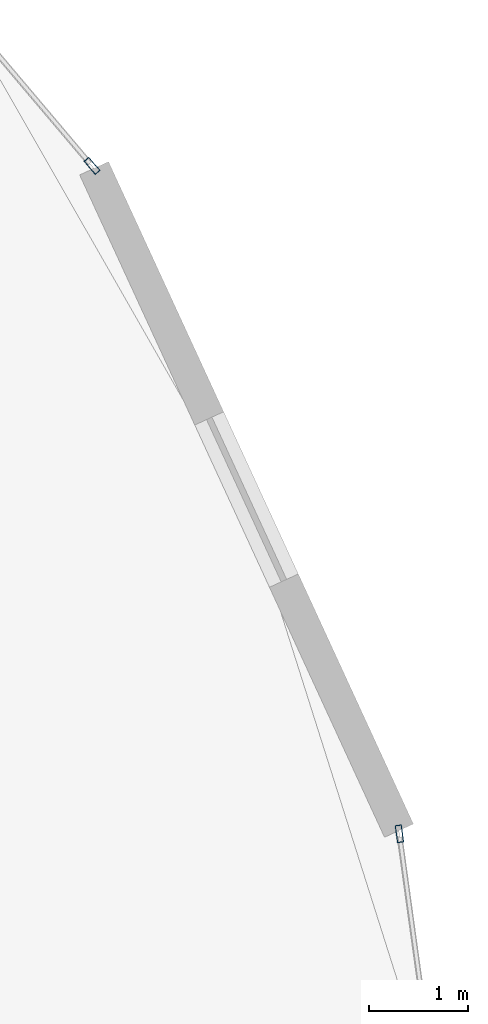
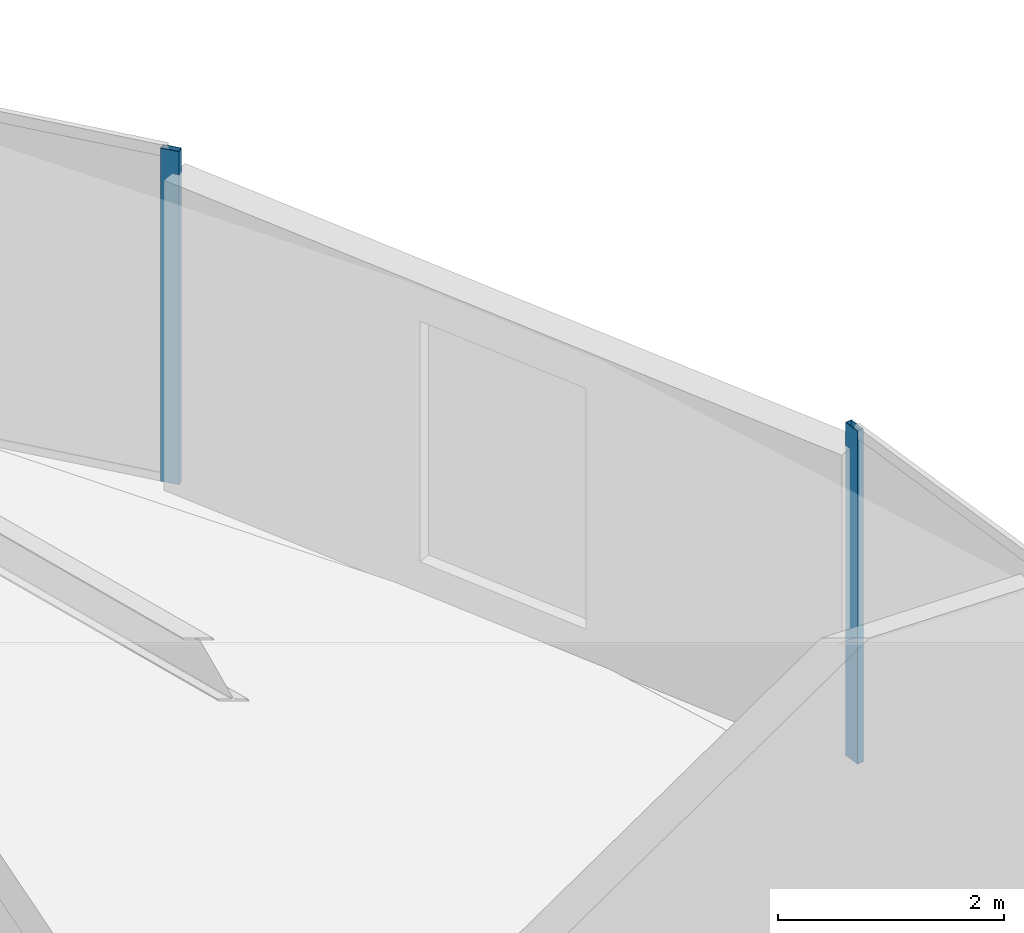
# One storey, part 12 of 23: 2 members, 2 elements without a shape of their own.
"""IFC4 building model written with IfcOpenShell, lengths in metres."""

import ifcopenshell
import ifcopenshell.guid

model = None  # the IFC model being written
_history = None  # IfcOwnerHistory: only IFC2X3 demands one
_inside = {}  # id of a spatial element -> (the spatial element, [elements in it])
_under = {}  # id of a project, library or spatial element -> (it, [spatial elements below it])
_declared = {}  # id of a project -> (the project, [libraries it declares])
_typed = {}  # id of a type object -> (the type object, [elements of that type])
_made_of = {}  # id of a material, layer set ... -> (it, [elements and type objects made of it])


def new_model(schema):
    """Start an empty IFC model of exactly this schema.

    Asked for "IFC4X3", IfcOpenShell would pick the latest addendum, in which some entities
    have other attributes; the version numbers below select the first issue.
    IFC2X3 requires an IfcOwnerHistory on every rooted entity: one is made here for all.
    """
    global model, _history
    if schema == "IFC4X3":
        model = ifcopenshell.file(schema_version=(4, 3, 0, 0))
    else:
        model = ifcopenshell.file(schema=schema)
    _inside.clear()
    _under.clear()
    _declared.clear()
    _typed.clear()
    _made_of.clear()
    _history = None
    if model.schema == "IFC2X3":
        org = make("IfcOrganization", Name="unknown")
        user = make(
            "IfcPersonAndOrganization",
            ThePerson=make("IfcPerson", FamilyName="unknown"),
            TheOrganization=org,
        )
        app = make(
            "IfcApplication",
            ApplicationDeveloper=org,
            Version="unknown",
            ApplicationFullName="unknown",
            ApplicationIdentifier="unknown",
        )
        _history = make(
            "IfcOwnerHistory",
            OwningUser=user,
            OwningApplication=app,
            ChangeAction="ADDED",
            CreationDate=0,
        )
    return model


def make(cls, **values):
    """One entity of the class cls with the attributes given. An attribute that is None is left unset."""
    return model.create_entity(
        cls, **{name: value for name, value in values.items() if value is not None}
    )


def rooted(cls, **values):
    """An entity with a GlobalId (a new one), such as an element, a storey or a relation."""
    return make(cls, GlobalId=ifcopenshell.guid.new(), OwnerHistory=_history, **values)


def si_unit(unit_type, name, prefix=None):
    """IfcSIUnit, for example si_unit("LENGTHUNIT", "METRE", prefix="MILLI")."""
    return make("IfcSIUnit", UnitType=unit_type, Prefix=prefix, Name=name)


def assignment(units):
    """IfcUnitAssignment: the units of a project."""
    return None if units is None else make("IfcUnitAssignment", Units=units)


def point(xyz):
    """IfcCartesianPoint."""
    return None if xyz is None else make("IfcCartesianPoint", Coordinates=xyz)


def direction(xyz):
    """IfcDirection."""
    return None if xyz is None else make("IfcDirection", DirectionRatios=xyz)


def frame(location, z_axis=None, x_axis=None):
    """IfcAxis2Placement3D, a coordinate frame: its origin and axes. An axis left out is left unset."""
    return make(
        "IfcAxis2Placement3D",
        Location=point(location),
        Axis=direction(z_axis),
        RefDirection=direction(x_axis),
    )


def frame_2d(location, x_axis=None):
    """IfcAxis2Placement2D, a coordinate frame in the plane: its origin and x axis."""
    return make(
        "IfcAxis2Placement2D", Location=point(location), RefDirection=direction(x_axis)
    )


def origin():
    """The frame at (0, 0, 0) with its axes left unset."""
    return frame((0.0, 0.0, 0.0))


def origin_2d():
    """The frame at (0, 0) in the plane with its x axis left unset."""
    return frame_2d((0.0, 0.0))


def place(relative_to, where):
    """IfcLocalPlacement: puts the frame where relative to a parent placement (None: the world)."""
    return make(
        "IfcLocalPlacement", PlacementRelTo=relative_to, RelativePlacement=where
    )


def context(
    kind, dimensions, precision=None, world=None, true_north=None, identifier=None
):
    """IfcGeometricRepresentationContext, for example the 3D "Model" context."""
    return make(
        "IfcGeometricRepresentationContext",
        ContextIdentifier=identifier,
        ContextType=kind,
        CoordinateSpaceDimension=dimensions,
        Precision=precision,
        WorldCoordinateSystem=world,
        TrueNorth=true_north,
    )


def subcontext(parent, identifier, kind, view, scale=None):
    """IfcGeometricRepresentationSubContext, for example "Body" below "Model"."""
    return make(
        "IfcGeometricRepresentationSubContext",
        ContextIdentifier=identifier,
        ContextType=kind,
        ParentContext=parent,
        TargetScale=scale,
        TargetView=view,
    )


def project(units=None, contexts=None):
    """IfcProject with its units and contexts."""
    return rooted(
        "IfcProject",
        Name="project",
        RepresentationContexts=contexts,
        UnitsInContext=assignment(units),
    )


def spatial(cls, under=None, at=None, **own):
    """A site, building, storey or space (cls), placed at a placement, below another one or the project."""
    s = rooted(cls, ObjectPlacement=at, **own)
    if under is not None:
        _under.setdefault(under.id(), (under, []))[1].append(s)
    return s


def profile(cls, at=None, kind="AREA", **sizes):
    """A parametric profile (cls). Its sizes go by their IFC names, for example OverallWidth=200.0."""
    return make(cls, ProfileType=kind, Position=at, **sizes)


def hollow_rectangle(**sizes):
    """IfcRectangleHollowProfileDef."""
    return profile("IfcRectangleHollowProfileDef", **sizes)


def extrude(swept, where, along, depth):
    """IfcExtrudedAreaSolid: the profile swept, set in the frame where, extruded along a direction by depth."""
    return make(
        "IfcExtrudedAreaSolid",
        SweptArea=swept,
        Position=where,
        ExtrudedDirection=direction(along),
        Depth=depth,
    )


def shape(context_of_items, identifier, shape_type, items):
    """IfcShapeRepresentation: the items that make up one representation, for example the "Body"."""
    return make(
        "IfcShapeRepresentation",
        ContextOfItems=context_of_items,
        RepresentationIdentifier=identifier,
        RepresentationType=shape_type,
        Items=items,
    )


def source(mapping_origin, context_of_items, identifier, shape_type, items):
    """IfcRepresentationMap: a shape defined once, which mapped items show again and again."""
    return make(
        "IfcRepresentationMap",
        MappingOrigin=mapping_origin,
        MappedRepresentation=shape(context_of_items, identifier, shape_type, items),
    )


def transform(
    local_origin,
    x_axis=None,
    y_axis=None,
    z_axis=None,
    scale=None,
    scale2=None,
    scale3=None,
    uniform=True,
):
    """IfcCartesianTransformationOperator3D, or its non-uniform kind. x_axis, y_axis, z_axis: its Axis1, 2, 3."""
    if uniform:
        return make(
            "IfcCartesianTransformationOperator3D",
            Axis1=direction(x_axis),
            Axis2=direction(y_axis),
            LocalOrigin=point(local_origin),
            Scale=scale,
            Axis3=direction(z_axis),
        )
    return make(
        "IfcCartesianTransformationOperator3DnonUniform",
        Axis1=direction(x_axis),
        Axis2=direction(y_axis),
        LocalOrigin=point(local_origin),
        Scale=scale,
        Axis3=direction(z_axis),
        Scale2=scale2,
        Scale3=scale3,
    )


def mapped(mapping_source, mapping_target):
    """IfcMappedItem: shows the shape of a source again, moved by a transform."""
    return make(
        "IfcMappedItem", MappingSource=mapping_source, MappingTarget=mapping_target
    )


def material(Name=None, Category=None):
    """IfcMaterial."""
    return make("IfcMaterial", Name=Name, Category=Category)


def layer(
    of_material, thickness, ventilated=None, Name=None, Category=None, Priority=None
):
    """IfcMaterialLayer: one layer of a wall or slab, of a material (None: an air gap)."""
    return make(
        "IfcMaterialLayer",
        Material=of_material,
        LayerThickness=thickness,
        IsVentilated=ventilated,
        Name=Name,
        Category=Category,
        Priority=Priority,
    )


def layer_set(layers, Name=None):
    """IfcMaterialLayerSet."""
    return make("IfcMaterialLayerSet", MaterialLayers=layers, LayerSetName=Name)


def material_profile(
    of_material, cross_section, Name=None, Category=None, Priority=None
):
    """IfcMaterialProfile: a cross section and its material."""
    return make(
        "IfcMaterialProfile",
        Name=Name,
        Material=of_material,
        Profile=cross_section,
        Priority=Priority,
        Category=Category,
    )


def profile_set(profiles, Name=None, composite=None):
    """IfcMaterialProfileSet."""
    return make(
        "IfcMaterialProfileSet",
        Name=Name,
        MaterialProfiles=profiles,
        CompositeProfile=composite,
    )


def made_of(thing, what):
    """Note that an element or type object is made of a material, layer set ...; save() writes the relation."""
    if what is not None:
        _made_of.setdefault(what.id(), (what, []))[1].append(thing)
    return thing


def type_object(cls, material=None, **own):
    """A type object (cls), such as IfcWallType, which elements share."""
    return made_of(rooted(cls, **own), material)


def element(
    cls,
    number,
    at=None,
    inside=None,
    cuts=None,
    type_object=None,
    material=None,
    context=None,
    identifier="Body",
    shape_type=None,
    held_by="IfcProductDefinitionShape",
    body=None,
    shapes=None,
    **own,
):
    """One element of the class cls, such as IfcWall. Its Tag is "e" and its number.

    at: its placement. inside: the storey or other place that contains it. cuts: it is an
    opening in that element (IfcRelVoidsElement). A single representation is given by context,
    identifier, shape_type and body (its items); several are given by shapes. held_by: the class
    of the entity that holds the representations. save() writes the other relations.
    """
    e = rooted(cls, Tag="e%d" % number, ObjectPlacement=at, **own)
    if body is not None:
        shapes = [shape(context, identifier, shape_type, body)]
    if shapes is not None:
        e.Representation = make(held_by, Representations=shapes)
    if inside is not None:
        _inside.setdefault(inside.id(), (inside, []))[1].append(e)
    if cuts is not None:
        rooted(
            "IfcRelVoidsElement", RelatingBuildingElement=cuts, RelatedOpeningElement=e
        )
    if type_object is not None:
        _typed.setdefault(type_object.id(), (type_object, []))[1].append(e)
    return made_of(e, material)


def aggregate(whole, parts):
    """IfcRelAggregates: a whole, such as a stair, and the parts it consists of."""
    return rooted("IfcRelAggregates", RelatingObject=whole, RelatedObjects=parts)


def save(model, path):
    """Write the relations noted so far, then the file.

    IfcRelAggregates (storeys below a building ...), IfcRelContainedInSpatialStructure (elements
    in a storey), IfcRelDefinesByType, IfcRelAssociatesMaterial and IfcRelDeclares: one each for
    every whole, place, type object, material and project.
    """
    for whole, parts in _under.values():
        aggregate(whole, parts)
    for where, things in _inside.values():
        rooted(
            "IfcRelContainedInSpatialStructure",
            RelatedElements=things,
            RelatingStructure=where,
        )
    for kind, things in _typed.values():
        rooted("IfcRelDefinesByType", RelatedObjects=things, RelatingType=kind)
    for what, things in _made_of.values():
        rooted("IfcRelAssociatesMaterial", RelatedObjects=things, RelatingMaterial=what)
    for by, libraries in _declared.values():
        rooted("IfcRelDeclares", RelatingContext=by, RelatedDefinitions=libraries)
    model.write(path)


model = new_model("IFC4")

# Units and contexts
model_context = context("Model", 3, precision=1e-05, world=origin(), true_north=direction((0.0, 1.0)))
body_context = subcontext(model_context, "Body", "Model", "MODEL_VIEW")
ifc_project = project(units=[si_unit("LENGTHUNIT", "METRE"), si_unit("AREAUNIT", "SQUARE_METRE"), si_unit("VOLUMEUNIT", "CUBIC_METRE"), si_unit("PLANEANGLEUNIT", "RADIAN"), si_unit("MASSUNIT", "GRAM", prefix="KILO")], contexts=[model_context])

# Site, building, storey
site_placement = place(None, origin())
site = spatial("IfcSite", under=ifc_project, at=site_placement, CompositionType="ELEMENT")
building_placement = place(site_placement, origin())
building = spatial("IfcBuilding", under=site, at=building_placement, Name="Solvirekh Grand Hotel", CompositionType="ELEMENT")
storey_placement = place(building_placement, frame((0.0, 0.0, 138.60009765625)))
storey = spatial("IfcBuildingStorey", under=building, at=storey_placement, Name="L35", CompositionType="ELEMENT", Elevation=138.60009765625)

# Curtain wall, member
ifc_material = material(Name="Anodized Bronze Aluminium 6063-T6", Category="aluminium")
ifc_layer = layer(ifc_material, 0.175048828125)
ifc_layer_set = layer_set([ifc_layer], Name="Anodized Bronze Aluminium 6063-T6")
curtain_wall_type = type_object("IfcCurtainWallType", Name="CW_Sys3_MidZoneFlushBronzeCW", PredefinedType="NOTDEFINED", material=ifc_layer_set)
curtain_wall_1_placement = place(storey_placement, origin())
curtain_wall_1 = element("IfcCurtainWall", 1, at=curtain_wall_1_placement, inside=storey, type_object=curtain_wall_type, Name="L35 unitised bronze-glass curtain wall CW-L35-C03", PredefinedType="NOTDEFINED")
ifc_material_profile = material_profile(ifc_material, hollow_rectangle(XDim=0.06494140625, YDim=0.175048828125, WallThickness=0.0048828125, at=origin_2d()), Name="ALU RHS 175X65X5")
ifc_profile_set = profile_set([ifc_material_profile], Name="Anodized Bronze Aluminium 6063-T6")
member_type = type_object("IfcMemberType", Name="CWMullion_Sys3", PredefinedType="MULLION", material=ifc_profile_set)
shared_shape = source(origin(), body_context, "Body", "SweptSolid", [
    extrude(hollow_rectangle(XDim=0.06494140625, YDim=0.175048828125, WallThickness=0.0048828125, at=origin_2d()), origin(), (0.0, 0.0, 1.0), 3.599853515625),
])
member_1_placement = place(storey_placement, frame((22.720458984375, 2.514892578125, 0.0), z_axis=(0.0, 0.0, 1.0), x_axis=(-0.990522035105, -0.137353915019, 0.0)))
member_1 = element("IfcMember", 2, at=member_1_placement, type_object=member_type, Name="U03 mullion 3", PredefinedType="MULLION", context=body_context, shape_type="MappedRepresentation", body=[
    mapped(shared_shape, transform((0.0, 0.0, 0.0), x_axis=(1.0, 0.0, 0.0), y_axis=(0.0, 1.0, 0.0), z_axis=(0.0, 0.0, 1.0), scale=1.0)),
])
aggregate(curtain_wall_1, [member_1])

curtain_wall_2_placement = place(storey_placement, origin())
curtain_wall_2 = element("IfcCurtainWall", 3, at=curtain_wall_2_placement, inside=storey, type_object=curtain_wall_type, Name="L35 unitised bronze-glass curtain wall CW-L35-C05", PredefinedType="NOTDEFINED")
member_2_placement = place(storey_placement, frame((19.623046875, 9.245849609375, 0.0), z_axis=(0.0, 0.0, 1.0), x_axis=(-0.763526783353, -0.645776161764, 0.0)))
member_2 = element("IfcMember", 4, at=member_2_placement, type_object=member_type, Name="U03 mullion 1", PredefinedType="MULLION", context=body_context, shape_type="MappedRepresentation", body=[
    mapped(shared_shape, transform((0.0, 0.0, 0.0), x_axis=(1.0, 0.0, 0.0), y_axis=(0.0, 1.0, 0.0), z_axis=(0.0, 0.0, 1.0), scale=1.0)),
])
aggregate(curtain_wall_2, [member_2])

save(model, "model.ifc")
